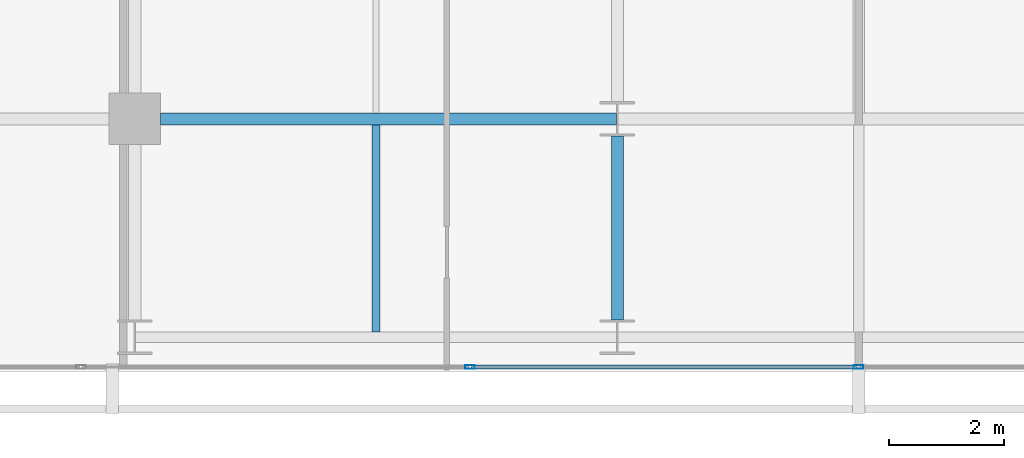
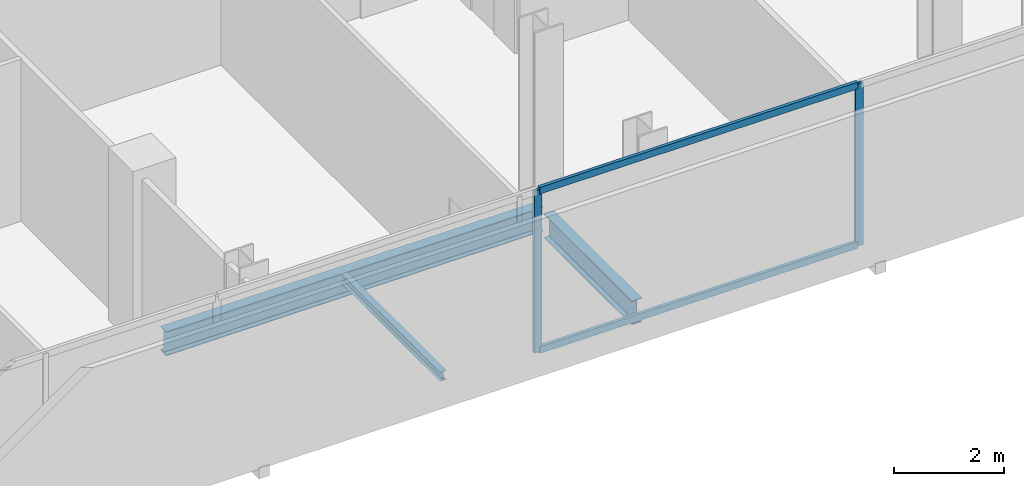
# One storey, part 6 of 34: 4 members, 3 beams, 1 element without a shape of its own.
"""IFC4 building model written with IfcOpenShell, lengths in metres."""

from ifc_helpers import new_model, si_unit, direction, frame, origin, origin_2d, place, context, subcontext, project, spatial, hollow_rectangle, i_section, extrude, material, layer, layer_set, material_profile, profile_set, type_object, element, aggregate, save


model = new_model("IFC4")

# Units and contexts
model_context = context("Model", 3, precision=1e-05, world=origin(), true_north=direction((0.0, 1.0)))
body_context = subcontext(model_context, "Body", "Model", "MODEL_VIEW")
ifc_project = project(units=[si_unit("LENGTHUNIT", "METRE"), si_unit("AREAUNIT", "SQUARE_METRE"), si_unit("VOLUMEUNIT", "CUBIC_METRE"), si_unit("PLANEANGLEUNIT", "RADIAN"), si_unit("MASSUNIT", "GRAM", prefix="KILO")], contexts=[model_context])

# Site, building, storey
site_placement = place(None, origin())
site = spatial("IfcSite", under=ifc_project, at=site_placement, CompositionType="ELEMENT")
building_placement = place(site_placement, origin())
building = spatial("IfcBuilding", under=site, at=building_placement, Name="Maruvema Waterfront Hotel and Observation Tower", CompositionType="ELEMENT")
storey_placement = place(building_placement, frame((0.0, 0.0, 215.949951171875)))
storey = spatial("IfcBuildingStorey", under=building, at=storey_placement, Name="L53", CompositionType="ELEMENT", Elevation=215.949951171875)

# Curtain wall, members
ifc_material_1 = material(Name="Anodised bronze aluminium and solar-control low-E IGU", Category="aluminium")
ifc_layer = layer(ifc_material_1, 0.159912109375, Name="Zone 2 Amber Inner Thermal Curtain Wall System CW-03")
ifc_layer_set = layer_set([ifc_layer], Name="Anodised bronze aluminium and solar-control low-E IGU")
curtain_wall_type = type_object("IfcCurtainWallType", Name="Zone 2 Amber Inner Thermal Curtain Wall System CW-03", PredefinedType="USERDEFINED", material=ifc_layer_set)
curtain_wall_placement = place(storey_placement, origin())
curtain_wall = element("IfcCurtainWall", 1, at=curtain_wall_placement, inside=storey, type_object=curtain_wall_type, Name="L53 Curtain Wall CW-L53-S", ObjectType="UNITISED CURTAIN WALL", PredefinedType="USERDEFINED")
ifc_material_2 = material(Name="Anodised architectural bronze aluminium", Category="aluminium")
ifc_material_profile_1 = material_profile(ifc_material_2, hollow_rectangle(XDim=0.070068359375, YDim=0.14990234375, WallThickness=0.00390625, at=origin_2d()), Name="ALU-T70x150")
ifc_profile_set_1 = profile_set([ifc_material_profile_1], Name="Anodised architectural bronze aluminium")
member_type_1 = type_object("IfcMemberType", Name="Curtain Wall Horizontal Transom ALU-T70x150", PredefinedType="USERDEFINED", material=ifc_profile_set_1)
member_1_placement = place(storey_placement, frame((31.063232421875, 4.679931640625, 0.030029296875), z_axis=(1.0, 0.0, 0.0), x_axis=(0.0, 1.0, 0.0)))
member_1 = element("IfcMember", 2, at=member_1_placement, type_object=member_type_1, Name="CW-03 transom 3.1", ObjectType="TRANSOM", PredefinedType="USERDEFINED", context=body_context, shape_type="SweptSolid", body=[
    extrude(hollow_rectangle(XDim=0.070068359375, YDim=0.14990234375, WallThickness=0.00390625, at=origin_2d()), origin(), (0.0, 0.0, 1.0), 6.706787109375),
])
member_2_placement = place(storey_placement, frame((31.063232421875, 4.679931640625, 3.580078125), z_axis=(1.0, 0.0, 0.0), x_axis=(0.0, 1.0, 0.0)))
member_2 = element("IfcMember", 3, at=member_2_placement, type_object=member_type_1, Name="CW-03 transom 3.2", ObjectType="TRANSOM", PredefinedType="USERDEFINED", context=body_context, shape_type="SweptSolid", body=[
    extrude(hollow_rectangle(XDim=0.070068359375, YDim=0.14990234375, WallThickness=0.00390625, at=origin_2d()), origin(), (0.0, 0.0, 1.0), 6.706787109375),
])
ifc_material_3 = material(Name="Anodised architectural bronze aluminium", Category="aluminium")
ifc_material_profile_2 = material_profile(ifc_material_3, hollow_rectangle(XDim=0.06494140625, YDim=0.1650390625, WallThickness=0.00390625, at=origin_2d()), Name="ALU-M65x165")
ifc_profile_set_2 = profile_set([ifc_material_profile_2], Name="Anodised architectural bronze aluminium")
member_type_2 = type_object("IfcMemberType", Name="Curtain Wall Primary Mullion ALU-M65x165", PredefinedType="MULLION", material=ifc_profile_set_2)
member_3_placement = place(storey_placement, frame((31.033447265625, 4.679931640625, 0.0), z_axis=(0.0, 0.0, 1.0), x_axis=(0.0, 1.0, 0.0)))
member_3 = element("IfcMember", 4, at=member_3_placement, type_object=member_type_2, Name="CW-03 mullion 3", PredefinedType="MULLION", context=body_context, shape_type="SweptSolid", body=[
    extrude(hollow_rectangle(XDim=0.06494140625, YDim=0.1650390625, WallThickness=0.00390625, at=origin_2d()), origin(), (0.0, 0.0, 1.0), 3.610107421875),
])
member_4_placement = place(storey_placement, frame((37.800048828125, 4.679931640625, 0.0), z_axis=(0.0, 0.0, 1.0), x_axis=(0.0, 1.0, 0.0)))
member_4 = element("IfcMember", 5, at=member_4_placement, type_object=member_type_2, Name="CW-03 mullion 4", PredefinedType="MULLION", context=body_context, shape_type="SweptSolid", body=[
    extrude(hollow_rectangle(XDim=0.06494140625, YDim=0.1650390625, WallThickness=0.00390625, at=origin_2d()), origin(), (0.0, 0.0, 1.0), 3.610107421875),
])
aggregate(curtain_wall, [member_3, member_4, member_1, member_2])

# Beams
ifc_material_4 = material(Name="Steel ASTM A572 Grade 50", Category="steel")
ifc_material_profile_3 = material_profile(ifc_material_4, i_section(OverallWidth=0.2109375, OverallDepth=0.5390625, WebThickness=0.01171875, FlangeThickness=0.018798828125, FilletRadius=0.014892578125, at=origin_2d()), Name="W530x109.0")
ifc_profile_set_3 = profile_set([ifc_material_profile_3], Name="Steel ASTM A572 Grade 50")
beam_type_1 = type_object("IfcBeamType", Name="Primary Floor Girder W530x109.0", PredefinedType="BEAM", material=ifc_profile_set_3)
beam_1_placement = place(storey_placement, frame((25.64990234375, 9.0, -0.509521484375), z_axis=(1.0, 0.0, 0.0), x_axis=(0.0, 1.0, 0.0)))
element("IfcBeam", 6, at=beam_1_placement, inside=storey, type_object=beam_type_1, Name="L53 Floor Girder EW-06", PredefinedType="BEAM", context=body_context, shape_type="SweptSolid", body=[
    extrude(i_section(OverallWidth=0.2109375, OverallDepth=0.5390625, WebThickness=0.01171875, FlangeThickness=0.018798828125, FilletRadius=0.014892578125, at=origin_2d()), origin(), (0.0, 0.0, 1.0), 7.9375),
])
beam_2_placement = place(storey_placement, frame((33.60009765625, 5.5, -0.509521484375), z_axis=(0.0, 1.0, 0.0), x_axis=(-1.0, 0.0, 0.0)))
element("IfcBeam", 7, at=beam_2_placement, inside=storey, type_object=beam_type_1, Name="L53 Floor Girder NS-14", PredefinedType="BEAM", context=body_context, shape_type="SweptSolid", body=[
    extrude(i_section(OverallWidth=0.2109375, OverallDepth=0.5390625, WebThickness=0.01171875, FlangeThickness=0.018798828125, FilletRadius=0.014892578125, at=origin_2d()), origin(), (0.0, 0.0, 1.0), 3.199951171875),
])
ifc_material_5 = material(Name="Steel ASTM A572 Grade 50", Category="steel")
ifc_material_profile_4 = material_profile(ifc_material_5, i_section(OverallWidth=0.133056640625, OverallDepth=0.20703125, WebThickness=0.005859375, FlangeThickness=0.00830078125, FilletRadius=0.010009765625, at=origin_2d()), Name="W200x26.6")
ifc_profile_set_4 = profile_set([ifc_material_profile_4], Name="Steel ASTM A572 Grade 50")
beam_type_2 = type_object("IfcBeamType", Name="Secondary Floor Joist W200x26.6", PredefinedType="JOIST", material=ifc_profile_set_4)
beam_3_placement = place(storey_placement, frame((29.39990234375, 5.28955078125, -0.343505859375), z_axis=(0.0, 1.0, 0.0), x_axis=(-1.0, 0.0, 0.0)))
element("IfcBeam", 8, at=beam_3_placement, inside=storey, type_object=beam_type_2, Name="L53 Secondary Floor Joist JS-05", PredefinedType="JOIST", context=body_context, shape_type="SweptSolid", body=[
    extrude(i_section(OverallWidth=0.133056640625, OverallDepth=0.20703125, WebThickness=0.005859375, FlangeThickness=0.00830078125, FilletRadius=0.010009765625, at=origin_2d()), origin(), (0.0, 0.0, 1.0), 3.60498046875),
])

save(model, "model.ifc")
